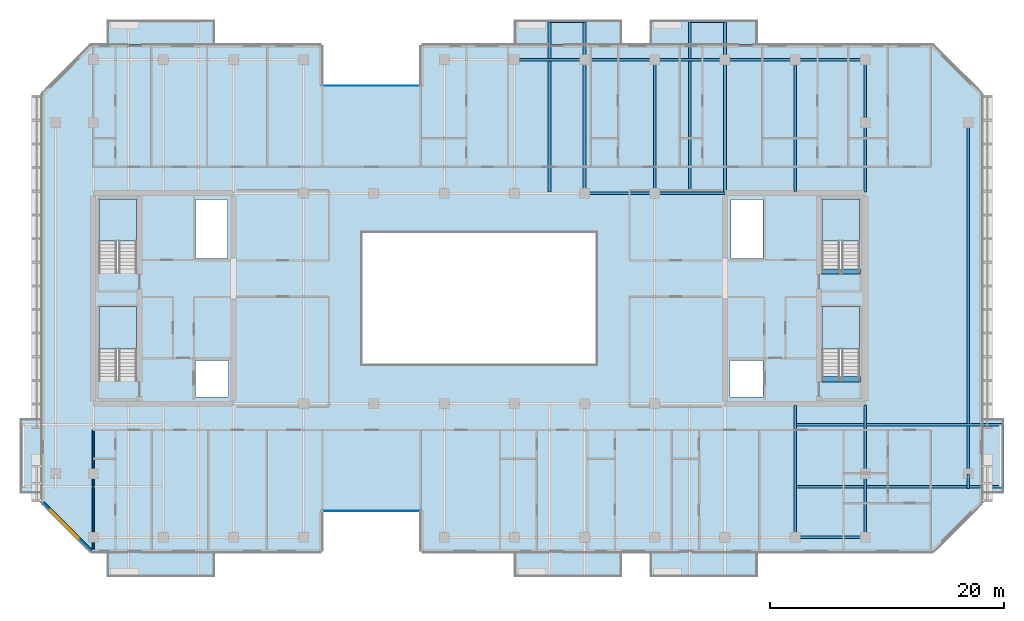
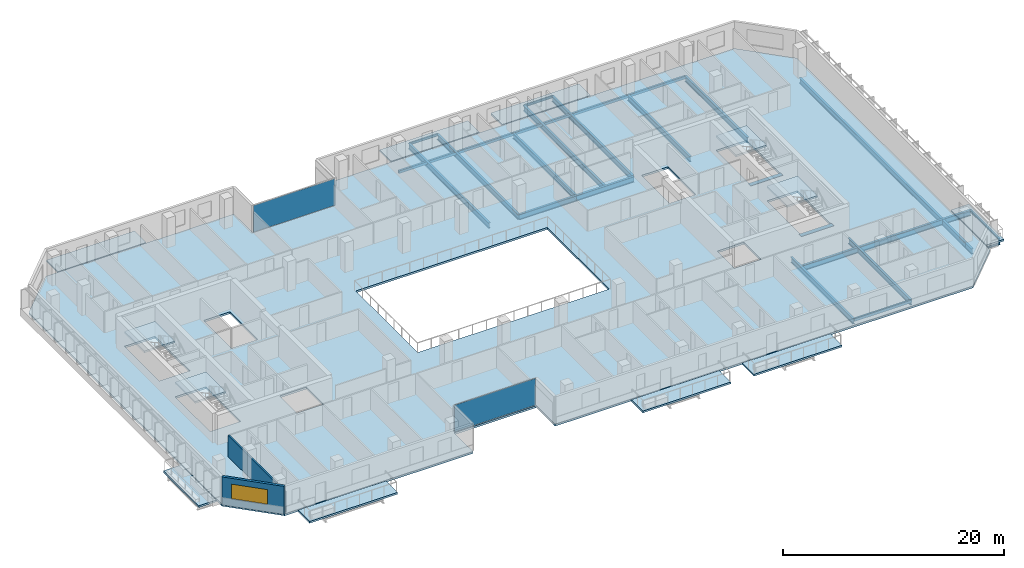
# One storey, part 8 of 19: 26 beams, 13 slabs, 2 plates, 2 walls, 1 window, 1 opening, 6 elements without a shape of their own.
"""IFC4 building model written with IfcOpenShell, lengths in metres."""

from ifc_helpers import new_model, si_unit, direction, frame, frame_2d, origin, origin_2d, place, context, subcontext, project, spatial, polyline, rectangle, hollow_rectangle, i_section, outline, extrude, material, layer, layer_set, material_profile, profile_set, type_object, element, fill, aggregate, save


model = new_model("IFC4")

# Units and contexts
model_context = context("Model", 3, precision=1e-05, world=origin(), true_north=direction((0.0, 1.0)))
body_context = subcontext(model_context, "Body", "Model", "MODEL_VIEW")
ifc_project = project(units=[si_unit("LENGTHUNIT", "METRE"), si_unit("AREAUNIT", "SQUARE_METRE"), si_unit("VOLUMEUNIT", "CUBIC_METRE"), si_unit("PLANEANGLEUNIT", "RADIAN"), si_unit("MASSUNIT", "GRAM", prefix="KILO")], contexts=[model_context])

# Site, building, storey
site_placement = place(None, origin())
site = spatial("IfcSite", under=ifc_project, at=site_placement, CompositionType="ELEMENT")
building_placement = place(site_placement, origin())
building = spatial("IfcBuilding", under=site, at=building_placement, Name="Tanjung Sevakor Pilgrim Tower", CompositionType="ELEMENT")
storey_placement = place(building_placement, frame((0.0, 0.0, 135.300048828125)))
storey = spatial("IfcBuildingStorey", under=building, at=storey_placement, Name="L37", CompositionType="ELEMENT", Elevation=135.300048828125)

# Beams
ifc_material_1 = material(Name="Steel S355J2", Category="steel")
ifc_material_profile_1 = material_profile(ifc_material_1, i_section(OverallWidth=0.230224609375, OverallDepth=0.6171875, WebThickness=0.01318359375, FlangeThickness=0.022216796875, FilletRadius=0.0126953125, at=origin_2d()))
ifc_profile_set_1 = profile_set([ifc_material_profile_1], Name="Steel S355J2")
beam_type_1 = type_object("IfcBeamType", Name="BM-B-G3-UB_610x229x140", PredefinedType="BEAM", material=ifc_profile_set_1)
for number, where, z_axis, x_axis, name in (
    (1, (66.0, 42.60009765625, -0.528564453125), (1.0, 0.0, 0.0), (0.0, 1.0, 0.0), "L37 Primary Floor Girder MAIN Y426-06"),
    (2, (72.0, 42.60009765625, -0.528564453125), (1.0, 0.0, 0.0), (0.0, 1.0, 0.0), "L37 Primary Floor Girder MAIN Y426-07"),
):
    element("IfcBeam", number, at=place(storey_placement, frame(where, z_axis=z_axis, x_axis=x_axis)), inside=storey, type_object=beam_type_1, Name=name, PredefinedType="BEAM", context=body_context, shape_type="SweptSolid", body=[
        extrude(i_section(OverallWidth=0.230224609375, OverallDepth=0.6171875, WebThickness=0.01318359375, FlangeThickness=0.022216796875, FilletRadius=0.0126953125, at=origin_2d()), origin(), (0.0, 0.0, 1.0), 6.0),
    ])
ifc_material_2 = material(Name="Steel S355J2", Category="steel")
ifc_material_profile_2 = material_profile(ifc_material_2, i_section(OverallWidth=0.22900390625, OverallDepth=0.6123046875, WebThickness=0.011962890625, FlangeThickness=0.01953125, FilletRadius=0.0126953125, at=origin_2d()))
ifc_profile_set_2 = profile_set([ifc_material_profile_2], Name="Steel S355J2")
beam_type_2 = type_object("IfcBeamType", Name="BM-B-G4-UB_610x229x125", PredefinedType="BEAM", material=ifc_profile_set_2)
beam_1_placement = place(storey_placement, frame((98.800048828125, 18.60009765625, -0.526123046875), z_axis=(0.0, 1.0, 0.0), x_axis=(-1.0, 0.0, 0.0)))
element("IfcBeam", 3, at=beam_1_placement, inside=storey, type_object=beam_type_2, Name="L37 Short-End Edge Girder E", PredefinedType="BEAM", context=body_context, shape_type="SweptSolid", body=[
    extrude(i_section(OverallWidth=0.22900390625, OverallDepth=0.6123046875, WebThickness=0.011962890625, FlangeThickness=0.01953125, FilletRadius=0.0126953125, at=origin_2d()), origin(), (0.0, 0.0, 1.0), 30.0),
])
beam_2_placement = place(storey_placement, frame((98.800048828125, 18.60009765625, -0.526123046875), z_axis=(0.0, -1.0, 0.0), x_axis=(1.0, 0.0, 0.0)))
element("IfcBeam", 4, at=beam_2_placement, inside=storey, type_object=beam_type_2, Name="L37 Short-End Edge Extension S-E", PredefinedType="BEAM", context=body_context, shape_type="SweptSolid", body=[
    extrude(i_section(OverallWidth=0.22900390625, OverallDepth=0.6123046875, WebThickness=0.011962890625, FlangeThickness=0.01953125, FilletRadius=0.0126953125, at=origin_2d()), origin(), (0.0, 0.0, 1.0), 1.25),
])
for number, where, z_axis, x_axis, name in (
    (5, (84.0, 17.5, -0.526123046875), (1.0, 0.0, 0.0), (0.0, 1.0, 0.0), "L37 Balcony Overhanging Beam MAIN-E1-1"),
    (6, (84.0, 22.800048828125, -0.526123046875), (1.0, 0.0, 0.0), (0.0, 1.0, 0.0), "L37 Balcony Overhanging Beam MAIN-E1-2"),
):
    element("IfcBeam", number, at=place(storey_placement, frame(where, z_axis=z_axis, x_axis=x_axis)), inside=storey, type_object=beam_type_2, Name=name, PredefinedType="BEAM", context=body_context, shape_type="SweptSolid", body=[
        extrude(i_section(OverallWidth=0.22900390625, OverallDepth=0.6123046875, WebThickness=0.011962890625, FlangeThickness=0.01953125, FilletRadius=0.0126953125, at=origin_2d()), origin(), (0.0, 0.0, 1.0), 17.72998046875),
    ])
beam_3_placement = place(storey_placement, frame((63.0, 42.715087890625, -0.526123046875), z_axis=(0.0, 1.0, 0.0), x_axis=(-1.0, 0.0, 0.0)))
element("IfcBeam", 7, at=beam_3_placement, inside=storey, type_object=beam_type_2, Name="L37 Balcony Cantilever Beam MAIN-N2-1", PredefinedType="BEAM", context=body_context, shape_type="SweptSolid", body=[
    extrude(i_section(OverallWidth=0.22900390625, OverallDepth=0.6123046875, WebThickness=0.011962890625, FlangeThickness=0.01953125, FilletRadius=0.0126953125, at=origin_2d()), origin(), (0.0, 0.0, 1.0), 14.56494140625),
])
beam_4_placement = place(storey_placement, frame((66.0, 42.60009765625, -0.526123046875), z_axis=(0.0, 1.0, 0.0), x_axis=(-1.0, 0.0, 0.0)))
element("IfcBeam", 8, at=beam_4_placement, inside=storey, type_object=beam_type_2, Name="L37 Balcony Cantilever Beam MAIN-N2-2", PredefinedType="BEAM", context=body_context, shape_type="SweptSolid", body=[
    extrude(i_section(OverallWidth=0.22900390625, OverallDepth=0.6123046875, WebThickness=0.011962890625, FlangeThickness=0.01953125, FilletRadius=0.0126953125, at=origin_2d()), origin(), (0.0, 0.0, 1.0), 14.679931640625),
])
beam_5_placement = place(storey_placement, frame((72.0, 42.60009765625, -0.526123046875), z_axis=(0.0, 1.0, 0.0), x_axis=(-1.0, 0.0, 0.0)))
element("IfcBeam", 9, at=beam_5_placement, inside=storey, type_object=beam_type_2, Name="L37 MAIN Girder 016", PredefinedType="BEAM", context=body_context, shape_type="SweptSolid", body=[
    extrude(i_section(OverallWidth=0.22900390625, OverallDepth=0.6123046875, WebThickness=0.011962890625, FlangeThickness=0.01953125, FilletRadius=0.0126953125, at=origin_2d()), origin(), (0.0, 0.0, 1.0), 11.39990234375),
])
for number, where, z_axis, x_axis, name in (
    (10, (75.0, 42.715087890625, -0.526123046875), (0.0, 1.0, 0.0), (-1.0, 0.0, 0.0), "L37 Balcony Cantilever Beam MAIN-N3-1"),
    (11, (78.0, 42.715087890625, -0.526123046875), (0.0, 1.0, 0.0), (-1.0, 0.0, 0.0), "L37 Balcony Cantilever Beam MAIN-N3-2"),
):
    element("IfcBeam", number, at=place(storey_placement, frame(where, z_axis=z_axis, x_axis=x_axis)), inside=storey, type_object=beam_type_2, Name=name, PredefinedType="BEAM", context=body_context, shape_type="SweptSolid", body=[
        extrude(i_section(OverallWidth=0.22900390625, OverallDepth=0.6123046875, WebThickness=0.011962890625, FlangeThickness=0.01953125, FilletRadius=0.0126953125, at=origin_2d()), origin(), (0.0, 0.0, 1.0), 14.56494140625),
    ])
for number, where, z_axis, x_axis, name in (
    (12, (84.0, 13.199951171875, -0.526123046875), (0.0, 1.0, 0.0), (-1.0, 0.0, 0.0), "L37 MAIN Girder 017"),
    (13, (84.0, 42.715087890625, -0.526123046875), (0.0, 1.0, 0.0), (-1.0, 0.0, 0.0), "L37 MAIN Girder 018"),
    (14, (90.0, 13.199951171875, -0.526123046875), (0.0, 1.0, 0.0), (-1.0, 0.0, 0.0), "L37 MAIN Girder 019"),
    (15, (90.0, 42.715087890625, -0.526123046875), (0.0, 1.0, 0.0), (-1.0, 0.0, 0.0), "L37 MAIN Girder 020"),
):
    element("IfcBeam", number, at=place(storey_placement, frame(where, z_axis=z_axis, x_axis=x_axis)), inside=storey, type_object=beam_type_2, Name=name, PredefinedType="BEAM", context=body_context, shape_type="SweptSolid", body=[
        extrude(i_section(OverallWidth=0.22900390625, OverallDepth=0.6123046875, WebThickness=0.011962890625, FlangeThickness=0.01953125, FilletRadius=0.0126953125, at=origin_2d()), origin(), (0.0, 0.0, 1.0), 11.284912109375),
    ])
ifc_material_3 = material(Name="Steel S355J2", Category="steel")
ifc_material_profile_3 = material_profile(ifc_material_3, i_section(OverallWidth=0.146484375, OverallDepth=0.256103515625, WebThickness=0.00634765625, FlangeThickness=0.010986328125, FilletRadius=0.007568359375, at=origin_2d()))
ifc_profile_set_3 = profile_set([ifc_material_profile_3], Name="Steel S355J2")
beam_type_3 = type_object("IfcBeamType", Name="BM-B-J6-UB_254x146x37", PredefinedType="JOIST", material=ifc_profile_set_3)
for number, where, z_axis, x_axis, name in (
    (16, (63.0, 57.280029296875, -0.328125), (1.0, 0.0, 0.0), (0.0, 1.0, 0.0), "L37 Balcony Rim Tie MAIN-N2"),
    (17, (75.0, 57.280029296875, -0.328125), (1.0, 0.0, 0.0), (0.0, 1.0, 0.0), "L37 Balcony Rim Tie MAIN-N3"),
):
    element("IfcBeam", number, at=place(storey_placement, frame(where, z_axis=z_axis, x_axis=x_axis)), inside=storey, type_object=beam_type_3, Name=name, PredefinedType="JOIST", context=body_context, shape_type="SweptSolid", body=[
        extrude(i_section(OverallWidth=0.146484375, OverallDepth=0.256103515625, WebThickness=0.00634765625, FlangeThickness=0.010986328125, FilletRadius=0.007568359375, at=origin_2d()), origin(), (0.0, 0.0, 1.0), 3.0),
    ])
beam_6_placement = place(storey_placement, frame((101.72998046875, 17.5, -0.328125), z_axis=(0.0, 1.0, 0.0), x_axis=(-1.0, 0.0, 0.0)))
element("IfcBeam", 18, at=beam_6_placement, inside=storey, type_object=beam_type_3, Name="L37 Balcony Rim Tie MAIN-E1", PredefinedType="JOIST", context=body_context, shape_type="SweptSolid", body=[
    extrude(i_section(OverallWidth=0.146484375, OverallDepth=0.256103515625, WebThickness=0.00634765625, FlangeThickness=0.010986328125, FilletRadius=0.007568359375, at=origin_2d()), origin(), (0.0, 0.0, 1.0), 5.300048828125),
])
ifc_material_4 = material(Name="Concrete C60/75", Category="concrete")
ifc_material_profile_4 = material_profile(ifc_material_4, rectangle(XDim=0.449951171875, YDim=0.699951171875, at=origin_2d()))
ifc_profile_set_4 = profile_set([ifc_material_profile_4], Name="Concrete C60/75")
beam_type_4 = type_object("IfcBeamType", Name="BM-B-LN3-RC-BM_450x700", PredefinedType="LINTEL", material=ifc_profile_set_4)
for number, where, z_axis, x_axis, name in (
    (19, (86.199951171875, 26.699951171875, -0.35009765625), (1.0, 0.0, 0.0), (0.0, 1.0, 0.0), "L37 TS-E1 Stair Threshold Beam"),
    (20, (86.199951171875, 35.89990234375, -0.35009765625), (1.0, 0.0, 0.0), (0.0, 1.0, 0.0), "L37 TS-E2 Stair Threshold Beam"),
):
    element("IfcBeam", number, at=place(storey_placement, frame(where, z_axis=z_axis, x_axis=x_axis)), inside=storey, type_object=beam_type_4, Name=name, PredefinedType="LINTEL", context=body_context, shape_type="SweptSolid", body=[
        extrude(rectangle(XDim=0.449951171875, YDim=0.699951171875, at=origin_2d()), origin(), (0.0, 0.0, 1.0), 3.400146484375),
    ])
ifc_material_5 = material(Name="Steel S355J2", Category="steel")
ifc_material_profile_5 = material_profile(ifc_material_5, hollow_rectangle(XDim=0.199951171875, YDim=0.300048828125, WallThickness=0.012451171875, at=origin_2d()))
ifc_profile_set_5 = profile_set([ifc_material_profile_5], Name="Steel S355J2")
beam_type_5 = type_object("IfcBeamType", Name="BM-B-SP3-RHS_300x200x12.5", PredefinedType="SPANDREL", material=ifc_profile_set_5)
for number, where, z_axis, x_axis, name in (
    (21, (60.0, 54.0, -0.3701171875), (1.0, 0.0, 0.0), (0.0, 1.0, 0.0), "L37 Spandrel MAIN N-10"),
    (22, (66.0, 54.0, -0.3701171875), (1.0, 0.0, 0.0), (0.0, 1.0, 0.0), "L37 Spandrel MAIN N-12"),
    (23, (72.0, 54.0, -0.3701171875), (1.0, 0.0, 0.0), (0.0, 1.0, 0.0), "L37 Spandrel MAIN N-14"),
    (24, (78.0, 54.0, -0.3701171875), (1.0, 0.0, 0.0), (0.0, 1.0, 0.0), "L37 Spandrel MAIN N-16"),
    (25, (84.0, 13.199951171875, -0.3701171875), (1.0, 0.0, 0.0), (0.0, 1.0, 0.0), "L37 Spandrel MAIN S-17"),
    (26, (84.0, 54.0, -0.3701171875), (1.0, 0.0, 0.0), (0.0, 1.0, 0.0), "L37 Spandrel MAIN N-18"),
):
    element("IfcBeam", number, at=place(storey_placement, frame(where, z_axis=z_axis, x_axis=x_axis)), inside=storey, type_object=beam_type_5, Name=name, PredefinedType="SPANDREL", context=body_context, shape_type="SweptSolid", body=[
        extrude(hollow_rectangle(XDim=0.199951171875, YDim=0.300048828125, WallThickness=0.012451171875, at=origin_2d()), origin(), (0.0, 0.0, 1.0), 6.0),
    ])

# Slabs
ifc_material_6 = material(Name="Concrete C40/50", Category="concrete")
ifc_layer_1 = layer(ifc_material_6, 0.199951171875)
ifc_layer_set_1 = layer_set([ifc_layer_1], Name="SL-BAL-200")
slab_type_1 = type_object("IfcSlabType", Name="SL-BAL-200", PredefinedType="FLOOR", material=ifc_layer_set_1)
slab_1_placement = place(storey_placement, frame((0.0, 0.0, -0.199951171875)))
element("IfcSlab", 27, at=slab_1_placement, inside=storey, type_object=slab_type_1, Name="L37 Planted Loggia Balcony MAIN-S1", PredefinedType="FLOOR", context=body_context, shape_type="SweptSolid", body=[
    extrude(outline(polyline([(25.199951171875, 9.800048828125), (34.39990234375, 9.800048828125), (34.39990234375, 11.89990234375), (25.199951171875, 11.89990234375), (25.199951171875, 9.800048828125)])), origin(), (0.0, 0.0, 1.0), 0.199951171875),
])
slab_2_placement = place(storey_placement, frame((0.0, 0.0, -0.199951171875)))
element("IfcSlab", 28, at=slab_2_placement, inside=storey, type_object=slab_type_1, Name="L37 Planted Loggia Balcony MAIN-N1", PredefinedType="FLOOR", context=body_context, shape_type="SweptSolid", body=[
    extrude(outline(polyline([(25.199951171875, 55.300048828125), (34.39990234375, 55.300048828125), (34.39990234375, 57.39990234375), (25.199951171875, 57.39990234375), (25.199951171875, 55.300048828125)])), origin(), (0.0, 0.0, 1.0), 0.199951171875),
])
slab_3_placement = place(storey_placement, frame((0.0, 0.0, -0.199951171875)))
element("IfcSlab", 29, at=slab_3_placement, inside=storey, type_object=slab_type_1, Name="L37 Planted Loggia Balcony MAIN-S2", PredefinedType="FLOOR", context=body_context, shape_type="SweptSolid", body=[
    extrude(outline(polyline([(60.0, 9.800048828125), (69.199951171875, 9.800048828125), (69.199951171875, 11.89990234375), (60.0, 11.89990234375), (60.0, 9.800048828125)])), origin(), (0.0, 0.0, 1.0), 0.199951171875),
])
slab_4_placement = place(storey_placement, frame((0.0, 0.0, -0.199951171875)))
element("IfcSlab", 30, at=slab_4_placement, inside=storey, type_object=slab_type_1, Name="L37 Planted Loggia Balcony MAIN-N2", PredefinedType="FLOOR", context=body_context, shape_type="SweptSolid", body=[
    extrude(outline(polyline([(60.0, 55.300048828125), (69.199951171875, 55.300048828125), (69.199951171875, 57.39990234375), (60.0, 57.39990234375), (60.0, 55.300048828125)])), origin(), (0.0, 0.0, 1.0), 0.199951171875),
])
slab_5_placement = place(storey_placement, frame((0.0, 0.0, -0.199951171875)))
element("IfcSlab", 31, at=slab_5_placement, inside=storey, type_object=slab_type_1, Name="L37 Planted Loggia Balcony MAIN-S3", PredefinedType="FLOOR", context=body_context, shape_type="SweptSolid", body=[
    extrude(outline(polyline([(71.60009765625, 9.800048828125), (80.800048828125, 9.800048828125), (80.800048828125, 11.89990234375), (71.60009765625, 11.89990234375), (71.60009765625, 9.800048828125)])), origin(), (0.0, 0.0, 1.0), 0.199951171875),
])
slab_6_placement = place(storey_placement, frame((0.0, 0.0, -0.199951171875)))
element("IfcSlab", 32, at=slab_6_placement, inside=storey, type_object=slab_type_1, Name="L37 Planted Loggia Balcony MAIN-N3", PredefinedType="FLOOR", context=body_context, shape_type="SweptSolid", body=[
    extrude(outline(polyline([(71.60009765625, 55.300048828125), (80.800048828125, 55.300048828125), (80.800048828125, 57.39990234375), (71.60009765625, 57.39990234375), (71.60009765625, 55.300048828125)])), origin(), (0.0, 0.0, 1.0), 0.199951171875),
])
slab_7_placement = place(storey_placement, frame((0.0, 0.0, -0.199951171875)))
element("IfcSlab", 33, at=slab_7_placement, inside=storey, type_object=slab_type_1, Name="L37 Planted Loggia Balcony MAIN-W1", PredefinedType="FLOOR", context=body_context, shape_type="SweptSolid", body=[
    extrude(outline(polyline([(17.75, 16.949951171875), (19.60009765625, 16.949951171875), (19.60009765625, 23.35009765625), (17.75, 23.35009765625), (17.75, 16.949951171875)])), origin(), (0.0, 0.0, 1.0), 0.199951171875),
])
slab_8_placement = place(storey_placement, frame((0.0, 0.0, -0.199951171875)))
element("IfcSlab", 34, at=slab_8_placement, inside=storey, type_object=slab_type_1, Name="L37 Planted Loggia Balcony MAIN-E1", PredefinedType="FLOOR", context=body_context, shape_type="SweptSolid", body=[
    extrude(outline(polyline([(100.0, 16.949951171875), (101.85009765625, 16.949951171875), (101.85009765625, 23.35009765625), (100.0, 23.35009765625), (100.0, 16.949951171875)])), origin(), (0.0, 0.0, 1.0), 0.199951171875),
])

# Stair, slab
ifc_material_7 = material(Name="Concrete C40/50", Category="concrete")
stair_type = type_object("IfcStairType", Name="STAIR-ST-CR150", PredefinedType="HALF_TURN_STAIR", material=ifc_material_7)
stair_1_placement = place(storey_placement, origin())
stair_1 = element("IfcStair", 35, at=stair_1_placement, inside=storey, type_object=stair_type, Name="L37 West Core Exit Stair 1", PredefinedType="HALF_TURN_STAIR")
ifc_material_8 = material(Name="Concrete C40/50", Category="concrete")
ifc_layer_2 = layer(ifc_material_8, 0.199951171875)
ifc_layer_set_2 = layer_set([ifc_layer_2], Name="SL-LAND-200")
slab_type_2 = type_object("IfcSlabType", Name="SL-LAND-200", PredefinedType="LANDING", material=ifc_layer_set_2)
slab_9_placement = place(storey_placement, frame((0.0, 0.0, 1.449951171875)))
slab_9 = element("IfcSlab", 36, at=slab_9_placement, type_object=slab_type_2, Name="TS-W1 landing 1", PredefinedType="LANDING", context=body_context, shape_type="SweptSolid", body=[
    extrude(outline(polyline([(27.699951171875, 29.300048828125), (27.699951171875, 32.89990234375), (24.5, 32.89990234375), (24.5, 29.300048828125), (27.699951171875, 29.300048828125)])), origin(), (0.0, 0.0, 1.0), 0.199951171875),
])
aggregate(stair_1, [slab_9])

stair_2_placement = place(storey_placement, origin())
stair_2 = element("IfcStair", 37, at=stair_2_placement, inside=storey, type_object=stair_type, Name="L37 West Core Exit Stair 2", PredefinedType="HALF_TURN_STAIR")
slab_10_placement = place(storey_placement, frame((0.0, 0.0, 1.449951171875)))
slab_10 = element("IfcSlab", 38, at=slab_10_placement, type_object=slab_type_2, Name="TS-W2 landing 1", PredefinedType="LANDING", context=body_context, shape_type="SweptSolid", body=[
    extrude(outline(polyline([(27.699951171875, 38.5), (27.699951171875, 42.10009765625), (24.5, 42.10009765625), (24.5, 38.5), (27.699951171875, 38.5)])), origin(), (0.0, 0.0, 1.0), 0.199951171875),
])
aggregate(stair_2, [slab_10])

stair_3_placement = place(storey_placement, origin())
stair_3 = element("IfcStair", 39, at=stair_3_placement, inside=storey, type_object=stair_type, Name="L37 East Core Exit Stair 1", PredefinedType="HALF_TURN_STAIR")
slab_11_placement = place(storey_placement, frame((0.0, 0.0, 1.449951171875)))
slab_11 = element("IfcSlab", 40, at=slab_11_placement, type_object=slab_type_2, Name="TS-E1 landing 1", PredefinedType="LANDING", context=body_context, shape_type="SweptSolid", body=[
    extrude(outline(polyline([(89.5, 29.300048828125), (89.5, 32.89990234375), (86.300048828125, 32.89990234375), (86.300048828125, 29.300048828125), (89.5, 29.300048828125)])), origin(), (0.0, 0.0, 1.0), 0.199951171875),
])
aggregate(stair_3, [slab_11])

stair_4_placement = place(storey_placement, origin())
stair_4 = element("IfcStair", 41, at=stair_4_placement, inside=storey, type_object=stair_type, Name="L37 East Core Exit Stair 2", PredefinedType="HALF_TURN_STAIR")
slab_12_placement = place(storey_placement, frame((0.0, 0.0, 1.449951171875)))
slab_12 = element("IfcSlab", 42, at=slab_12_placement, type_object=slab_type_2, Name="TS-E2 landing 1", PredefinedType="LANDING", context=body_context, shape_type="SweptSolid", body=[
    extrude(outline(polyline([(89.5, 38.5), (89.5, 42.10009765625), (86.300048828125, 42.10009765625), (86.300048828125, 38.5), (89.5, 38.5)])), origin(), (0.0, 0.0, 1.0), 0.199951171875),
])
aggregate(stair_4, [slab_12])

# Slab
ifc_material_9 = material(Name="Concrete C40/50", Category="concrete")
ifc_layer_3 = layer(ifc_material_9, 0.219970703125)
ifc_layer_set_3 = layer_set([ifc_layer_3], Name="SL-TWR-220")
slab_type_3 = type_object("IfcSlabType", Name="SL-TWR-220", PredefinedType="FLOOR", material=ifc_layer_set_3)
slab_13_placement = place(storey_placement, frame((0.0, 0.0, -0.219970703125)))
element("IfcSlab", 43, at=slab_13_placement, inside=storey, type_object=slab_type_3, Name="L37 Floor Slab MAIN", PredefinedType="FLOOR", context=body_context, shape_type="SweptSolid", body=[
    extrude(outline(polyline([(23.846923828125, 11.97998046875), (43.52001953125, 11.97998046875), (43.52001953125, 15.3798828125), (52.080078125, 15.3798828125), (52.080078125, 11.97998046875), (95.753173828125, 11.97998046875), (99.919921875, 16.14697265625), (99.919921875, 51.052978515625), (95.753173828125, 55.219970703125), (52.080078125, 55.219970703125), (52.080078125, 51.820068359375), (43.52001953125, 51.820068359375), (43.52001953125, 55.219970703125), (23.846923828125, 55.219970703125), (19.679931640625, 51.052978515625), (19.679931640625, 16.14697265625), (23.846923828125, 11.97998046875)]), holes=[polyline([(27.699951171875, 26.60009765625), (27.699951171875, 32.89990234375), (24.5, 32.89990234375), (24.5, 26.60009765625), (27.699951171875, 26.60009765625)]), polyline([(27.699951171875, 35.800048828125), (27.699951171875, 42.10009765625), (24.5, 42.10009765625), (24.5, 35.800048828125), (27.699951171875, 35.800048828125)]), polyline([(89.5, 26.60009765625), (89.5, 32.89990234375), (86.300048828125, 32.89990234375), (86.300048828125, 26.60009765625), (89.5, 26.60009765625)]), polyline([(89.5, 35.800048828125), (89.5, 42.10009765625), (86.300048828125, 42.10009765625), (86.300048828125, 35.800048828125), (89.5, 35.800048828125)]), polyline([(32.75, 25.199951171875), (35.550048828125, 25.199951171875), (35.550048828125, 28.300048828125), (32.75, 28.300048828125), (32.75, 25.199951171875)]), polyline([(32.75, 37.0), (35.5, 37.0), (35.5, 42.050048828125), (32.75, 42.050048828125), (32.75, 37.0)]), polyline([(78.449951171875, 25.199951171875), (81.25, 25.199951171875), (81.25, 28.300048828125), (78.449951171875, 28.300048828125), (78.449951171875, 25.199951171875)]), polyline([(78.5, 37.0), (81.25, 37.0), (81.25, 42.050048828125), (78.5, 42.050048828125), (78.5, 37.0)]), polyline([(47.0, 28.0), (67.0, 28.0), (67.0, 39.199951171875), (47.0, 39.199951171875), (47.0, 28.0)])]), origin(), (0.0, 0.0, 1.0), 0.219970703125),
])

# Curtain wall, plate
ifc_material_10 = material(Name="Aluminium 6063-T6 and Low-E Glass", Category="aluminium")
ifc_layer_4 = layer(ifc_material_10, 0.179931640625)
ifc_layer_set_4 = layer_set([ifc_layer_4], Name="CW-SYS-CLEFT")
curtain_wall_type = type_object("IfcCurtainWallType", Name="CW-SYS-CLEFT", PredefinedType="NOTDEFINED", material=ifc_layer_set_4)
curtain_wall_1_placement = place(storey_placement, origin())
curtain_wall_1 = element("IfcCurtainWall", 44, at=curtain_wall_1_placement, inside=storey, type_object=curtain_wall_type, Name="L37 Curtain Wall CW-CLF-L37-2", PredefinedType="NOTDEFINED")
ifc_material_11 = material(Name="Laminated Low-E Double Glazing", Category="glass")
ifc_layer_5 = layer(ifc_material_11, 0.028076171875)
ifc_layer_set_5 = layer_set([ifc_layer_5], Name="TYPE-CWP-GLZ1")
plate_type = type_object("IfcPlateType", Name="TYPE-CWP-GLZ1", PredefinedType="CURTAIN_PANEL", material=ifc_layer_set_5)
plate_1_placement = place(storey_placement, frame((47.800048828125, 15.425048828125, 0.06494140625), z_axis=(0.0, 0.0, 1.0), x_axis=(1.0, 0.0, 0.0)))
plate_1 = element("IfcPlate", 45, at=plate_1_placement, type_object=plate_type, Name="CW-CLF panel 1.1", PredefinedType="CURTAIN_PANEL", context=body_context, shape_type="SweptSolid", body=[
    extrude(rectangle(XDim=8.5, YDim=0.028076171875, at=origin_2d()), origin(), (0.0, 0.0, 1.0), 2.949951171875),
])
aggregate(curtain_wall_1, [plate_1])

curtain_wall_2_placement = place(storey_placement, origin())
curtain_wall_2 = element("IfcCurtainWall", 46, at=curtain_wall_2_placement, inside=storey, type_object=curtain_wall_type, Name="L37 Curtain Wall CW-CLF-L37-10", PredefinedType="NOTDEFINED")
plate_2_placement = place(storey_placement, frame((47.800048828125, 51.77490234375, 0.06494140625), z_axis=(0.0, 0.0, 1.0), x_axis=(-1.0, 0.0, 0.0)))
plate_2 = element("IfcPlate", 47, at=plate_2_placement, type_object=plate_type, Name="CW-CLF panel 1.1", PredefinedType="CURTAIN_PANEL", context=body_context, shape_type="SweptSolid", body=[
    extrude(rectangle(XDim=8.5, YDim=0.028076171875, at=origin_2d()), origin(), (0.0, 0.0, 1.0), 2.949951171875),
])
aggregate(curtain_wall_2, [plate_2])

# Wall
ifc_material_12 = material(Name="Concrete C40/50", Category="concrete")
ifc_layer_6 = layer(ifc_material_12, 0.14990234375)
ifc_layer_set_6 = layer_set([ifc_layer_6], Name="WT-COMP-150")
wall_type_1 = type_object("IfcWallType", Name="WT-COMP-150", PredefinedType="SOLIDWALL", material=ifc_layer_set_6)
wall_1_placement = place(storey_placement, frame((24.0, 12.14990234375, 0.0), z_axis=(0.0, 0.0, 1.0), x_axis=(0.0, 1.0, 0.0)))
element("IfcWall", 48, at=wall_1_placement, inside=storey, type_object=wall_type_1, Name="L37 Partition IW-L37-037", PredefinedType="SOLIDWALL", context=body_context, shape_type="SweptSolid", body=[
    extrude(rectangle(XDim=10.2001953125, YDim=0.14990234375, at=frame_2d((5.10009765625, 0.0))), origin(), (0.0, 0.0, 1.0), 2.35009765625),
])

# Wall, opening, window
ifc_material_13 = material(Name="Precast concrete C45/55", Category="concrete")
ifc_layer_7 = layer(ifc_material_13, 0.25)
ifc_layer_set_7 = layer_set([ifc_layer_7], Name="WT-EW-STN3")
wall_type_2 = type_object("IfcWallType", Name="WT-EW-STN3", PredefinedType="SOLIDWALL", material=ifc_layer_set_7)
wall_2_placement = place(storey_placement, frame((19.72509765625, 16.15185546875, 0.0), z_axis=(0.0, 0.0, 1.0), x_axis=(0.70708586489, -0.707127696864, 0.0)))
wall_2 = element("IfcWall", 49, at=wall_2_placement, inside=storey, type_object=wall_type_2, Name="L37 MAIN Sculpted Corner Wall 15", PredefinedType="SOLIDWALL", context=body_context, shape_type="SweptSolid", body=[
    extrude(rectangle(XDim=5.836181640625, YDim=0.25, at=frame_2d((2.91796875, 0.0))), origin(), (0.0, 0.0, 1.0), 3.080078125),
])
opening_placement = place(wall_2_placement, frame((0.898193359375, 0.0, 0.780029296875)))
opening = element("IfcOpeningElement", 50, at=opening_placement, cuts=wall_2, Name="Opening WN-CHM-1660", PredefinedType="OPENING", context=body_context, shape_type="SweptSolid", body=[
    extrude(rectangle(XDim=3.39990234375, YDim=1.659912109375, at=frame_2d((1.699951171875, 0.830078125))), frame((0.0, 0.135009765625, 0.0), z_axis=(0.0, -1.0, 0.0), x_axis=(1.0, 0.0, 0.0)), (0.0, 0.0, 1.0), 0.27001953125),
])
ifc_material_14 = material(Name="Thermally Broken Aluminium and Low-E Glass", Category="aluminium")
window_type = type_object("IfcWindowType", Name="WTYP-WN-CHM-1660", PartitioningType="DOUBLE_PANEL_VERTICAL", PredefinedType="WINDOW", material=ifc_material_14)
window_placement = place(opening_placement, origin())
window = element("IfcWindow", 51, at=window_placement, inside=storey, type_object=window_type, Name="L37 Facade Window 01", OverallHeight=1.659912109375, OverallWidth=3.39990234375, PartitioningType="SINGLE_PANEL", PredefinedType="WINDOW", context=body_context, shape_type="SweptSolid", body=[
    extrude(rectangle(XDim=3.39990234375, YDim=1.659912109375, at=frame_2d((1.699951171875, 0.830078125))), frame((0.0, 0.030029296875, 0.0), z_axis=(0.0, -1.0, 0.0), x_axis=(1.0, 0.0, 0.0)), (0.0, 0.0, 1.0), 0.06005859375),
])
fill(opening, window)

save(model, "model.ifc")
